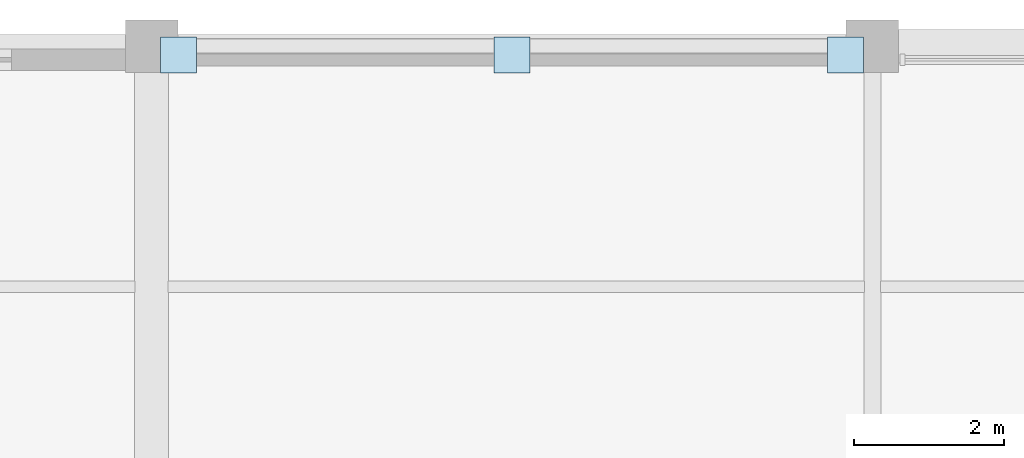
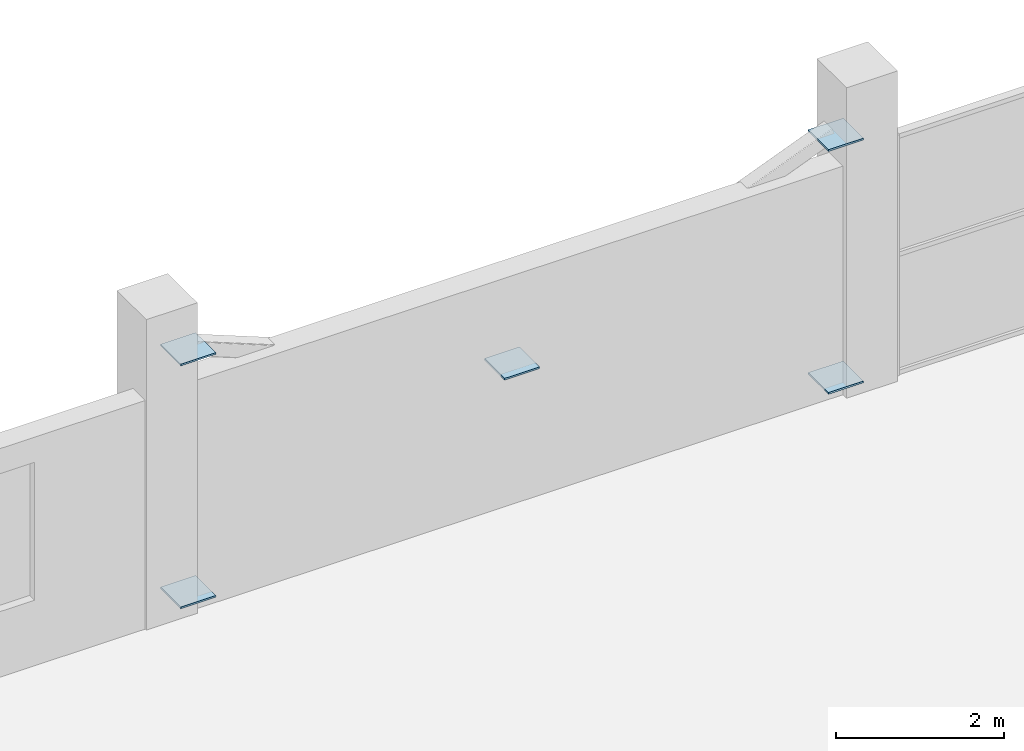
# One storey, part 45 of 75: 5 plates.
"""IFC4 building model written with IfcOpenShell, lengths in metres."""

from ifc_helpers import new_model, si_unit, direction, frame, origin, origin_2d, place, context, subcontext, project, spatial, rectangle, extrude, material, layer, layer_set, type_object, element, save


model = new_model("IFC4")

# Units and contexts
model_context = context("Model", 3, precision=1e-05, world=origin(), true_north=direction((0.0, 1.0)))
body_context = subcontext(model_context, "Body", "Model", "MODEL_VIEW")
ifc_project = project(units=[si_unit("LENGTHUNIT", "METRE"), si_unit("AREAUNIT", "SQUARE_METRE"), si_unit("VOLUMEUNIT", "CUBIC_METRE"), si_unit("PLANEANGLEUNIT", "RADIAN"), si_unit("MASSUNIT", "GRAM", prefix="KILO")], contexts=[model_context])

# Site, building, storey
site_placement = place(None, origin())
site = spatial("IfcSite", under=ifc_project, at=site_placement, CompositionType="ELEMENT")
building_placement = place(site_placement, origin())
building = spatial("IfcBuilding", under=site, at=building_placement, Name="Caelomonte Colonnade Arena", CompositionType="ELEMENT")
storey_placement = place(building_placement, frame((0.0, 0.0, 14.10009765625)))
storey = spatial("IfcBuildingStorey", under=building, at=storey_placement, Name="L03", CompositionType="ELEMENT", Elevation=14.10009765625)

# Plates
ifc_material = material(Name="Steel ASTM A572 Grade 50", Category="steel")
ifc_layer = layer(ifc_material, 0.02490234375)
ifc_layer_set = layer_set([ifc_layer], Name="Steel ASTM A572 Grade 50")
plate_type = type_object("IfcPlateType", Name="STR-PL-PN01", PredefinedType="USERDEFINED", material=ifc_layer_set)
for number, where, z_axis, x_axis, name in (
    (1, (168.0, 143.885009765625, 1.907470703125), (0.0, 0.0, 1.0), (1.0, 0.0, 0.0), "Braced frame BF3 L03 gusset plate X"),
    (2, (163.56005859375, 143.885009765625, 0.1474609375), (0.0, 0.0, 1.0), (1.0, 0.0, 0.0), "Braced frame BF3 L03 gusset plate BL"),
    (3, (172.43994140625, 143.885009765625, 0.1474609375), (0.0, 0.0, 1.0), (1.0, 0.0, 0.0), "Braced frame BF3 L03 gusset plate BR"),
    (4, (163.56005859375, 143.885009765625, 3.66748046875), (0.0, 0.0, 1.0), (1.0, 0.0, 0.0), "Braced frame BF3 L03 gusset plate TL"),
    (5, (172.43994140625, 143.885009765625, 3.66748046875), (0.0, 0.0, 1.0), (1.0, 0.0, 0.0), "Braced frame BF3 L03 gusset plate TR"),
):
    element("IfcPlate", number, at=place(storey_placement, frame(where, z_axis=z_axis, x_axis=x_axis)), inside=storey, type_object=plate_type, Name=name, ObjectType="GUSSET PLATE", PredefinedType="USERDEFINED", context=body_context, shape_type="SweptSolid", body=[
        extrude(rectangle(XDim=0.47998046875, YDim=0.47998046875, at=origin_2d()), origin(), (0.0, 0.0, 1.0), 0.02490234375),
    ])

save(model, "model.ifc")
